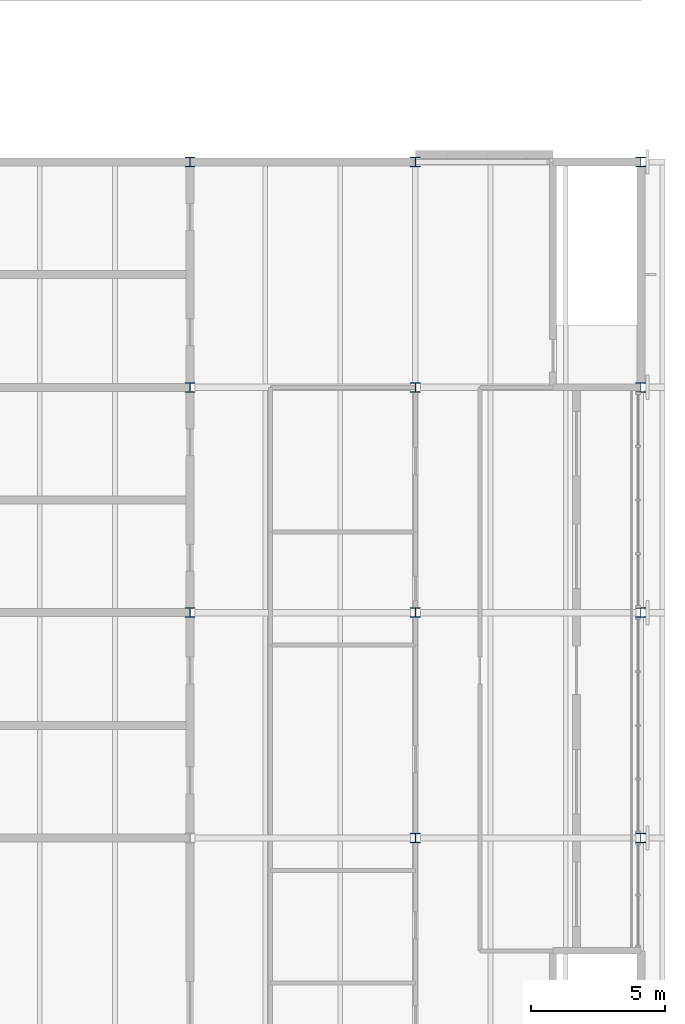
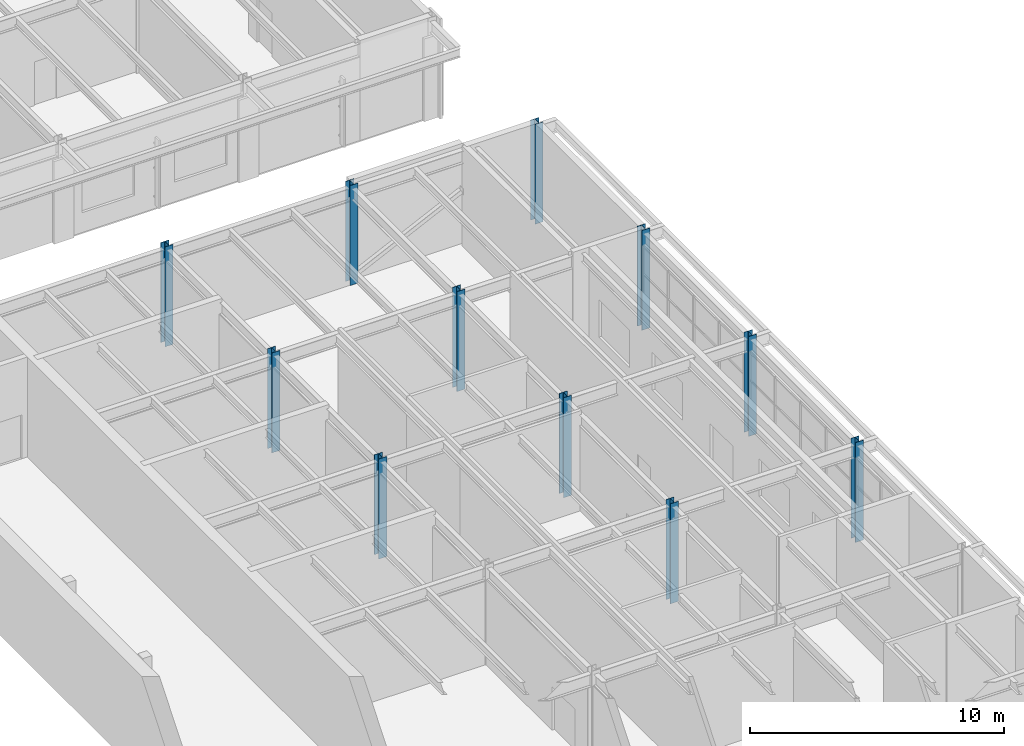
# One storey, part 12 of 116: 11 columns.
"""IFC4 building model written with IfcOpenShell, lengths in metres."""

from ifc_helpers import new_model, si_unit, direction, frame, origin, origin_2d, place, context, subcontext, project, spatial, i_section, extrude, material, material_profile, profile_set, type_object, element, save


model = new_model("IFC4")

# Units and contexts
model_context = context("Model", 3, precision=1e-05, world=origin(), true_north=direction((0.0, 1.0)))
body_context = subcontext(model_context, "Body", "Model", "MODEL_VIEW")
ifc_project = project(units=[si_unit("LENGTHUNIT", "METRE"), si_unit("AREAUNIT", "SQUARE_METRE"), si_unit("VOLUMEUNIT", "CUBIC_METRE"), si_unit("PLANEANGLEUNIT", "RADIAN"), si_unit("MASSUNIT", "GRAM", prefix="KILO")], contexts=[model_context])

# Site, building, storey
site_placement = place(None, origin())
site = spatial("IfcSite", under=ifc_project, at=site_placement, CompositionType="ELEMENT")
building_placement = place(site_placement, origin())
building = spatial("IfcBuilding", under=site, at=building_placement, Name="Ljudholm Concert House", CompositionType="ELEMENT")
storey_placement = place(building_placement, frame((0.0, 0.0, 10.199951171875)))
storey = spatial("IfcBuildingStorey", under=building, at=storey_placement, Name="L02", CompositionType="ELEMENT", Elevation=10.199951171875)

# Columns
ifc_material = material(Name="Steel ASTM A992", Category="steel")
ifc_material_profile = material_profile(ifc_material, i_section(OverallWidth=0.368408203125, OverallDepth=0.355712890625, WebThickness=0.01123046875, FlangeThickness=0.01806640625, FilletRadius=0.01513671875, at=origin_2d()), Name="W14X90")
ifc_profile_set = profile_set([ifc_material_profile], Name="Steel ASTM A992")
column_type = type_object("IfcColumnType", Name="STEEL COLUMN W14X90", PredefinedType="COLUMN", material=ifc_profile_set)
for number, where, z_axis, x_axis, name in (
    (1, (104.800048828125, 79.60009765625, 0.0), (0.0, 0.0, 1.0), (1.0, 0.0, 0.0), "Column BOH-L02-col-104.8-79.6"),
    (2, (104.800048828125, 88.0, 0.0), (0.0, 0.0, 1.0), (1.0, 0.0, 0.0), "Column BOH-L02-col-104.8-88"),
    (3, (104.800048828125, 96.39990234375, 0.0), (0.0, 0.0, 1.0), (1.0, 0.0, 0.0), "Column BOH-L02-col-104.8-96.4"),
    (4, (113.199951171875, 71.199951171875, 0.0), (0.0, 0.0, 1.0), (1.0, 0.0, 0.0), "Column BOH-L02-col-113.2-71.2"),
    (5, (113.199951171875, 79.60009765625, 0.0), (0.0, 0.0, 1.0), (1.0, 0.0, 0.0), "Column BOH-L02-col-113.2-79.6"),
    (6, (113.199951171875, 88.0, 0.0), (0.0, 0.0, 1.0), (1.0, 0.0, 0.0), "Column BOH-L02-col-113.2-88"),
    (7, (113.199951171875, 96.39990234375, 0.0), (0.0, 0.0, 1.0), (1.0, 0.0, 0.0), "Column BOH-L02-col-113.2-96.4"),
    (8, (121.60009765625, 71.199951171875, 0.0), (0.0, 0.0, 1.0), (1.0, 0.0, 0.0), "Column BOH-L02-col-121.6-71.2"),
    (9, (121.60009765625, 79.60009765625, 0.0), (0.0, 0.0, 1.0), (1.0, 0.0, 0.0), "Column BOH-L02-col-121.6-79.6"),
    (10, (121.60009765625, 88.0, 0.0), (0.0, 0.0, 1.0), (1.0, 0.0, 0.0), "Column BOH-L02-col-121.6-88"),
    (11, (121.60009765625, 96.39990234375, 0.0), (0.0, 0.0, 1.0), (1.0, 0.0, 0.0), "Column BOH-L02-col-121.6-96.4"),
):
    element("IfcColumn", number, at=place(storey_placement, frame(where, z_axis=z_axis, x_axis=x_axis)), inside=storey, type_object=column_type, Name=name, PredefinedType="COLUMN", context=body_context, shape_type="SweptSolid", body=[
        extrude(i_section(OverallWidth=0.368408203125, OverallDepth=0.355712890625, WebThickness=0.01123046875, FlangeThickness=0.01806640625, FilletRadius=0.01513671875, at=origin_2d()), origin(), (0.0, 0.0, 1.0), 4.800048828125),
    ])

save(model, "model.ifc")
